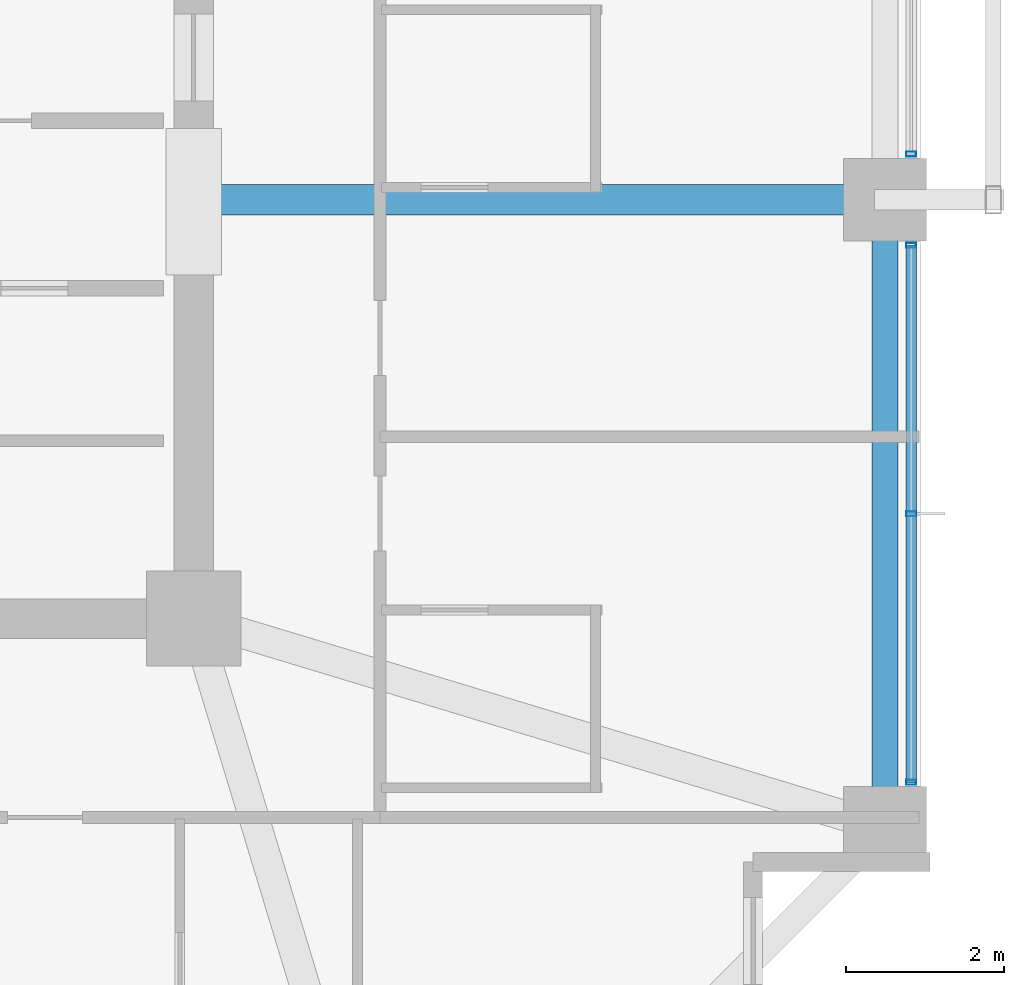
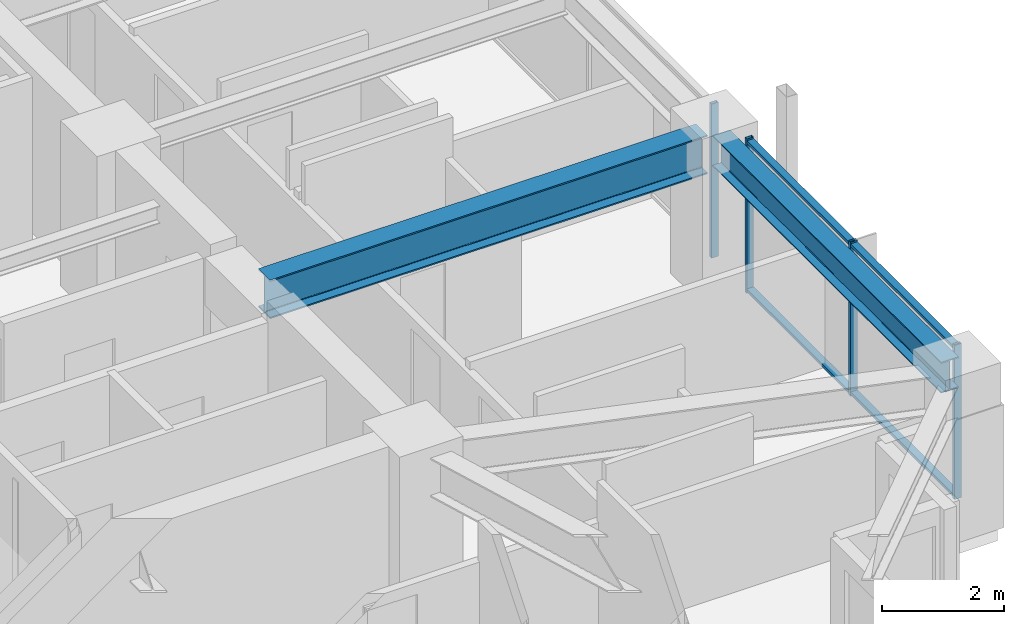
# One storey, part 13 of 34: 6 members, 2 beams, 2 elements without a shape of their own.
"""IFC4 building model written with IfcOpenShell, lengths in metres."""

from ifc_helpers import new_model, si_unit, direction, frame, origin, origin_2d, place, context, subcontext, project, spatial, hollow_rectangle, i_section, extrude, material, material_profile, profile_set, type_object, element, aggregate, save


model = new_model("IFC4")

# Units and contexts
model_context = context("Model", 3, precision=1e-05, world=origin(), true_north=direction((0.0, 1.0)))
body_context = subcontext(model_context, "Body", "Model", "MODEL_VIEW")
ifc_project = project(units=[si_unit("LENGTHUNIT", "METRE"), si_unit("AREAUNIT", "SQUARE_METRE"), si_unit("VOLUMEUNIT", "CUBIC_METRE"), si_unit("PLANEANGLEUNIT", "RADIAN"), si_unit("MASSUNIT", "GRAM", prefix="KILO")], contexts=[model_context])

# Site, building, storey
site_placement = place(None, origin())
site = spatial("IfcSite", under=ifc_project, at=site_placement, CompositionType="ELEMENT")
building_placement = place(site_placement, origin())
building = spatial("IfcBuilding", under=site, at=building_placement, Name="Kolvaren Belvedere", CompositionType="ELEMENT")
storey_placement = place(building_placement, frame((0.0, 0.0, 111.800048828125)))
storey = spatial("IfcBuildingStorey", under=building, at=storey_placement, Name="L32", CompositionType="ELEMENT", Elevation=111.800048828125)

# Beams
ifc_material_1 = material(Name="Structural steel ASTM A992 Grade 50", Category="steel")
ifc_material_profile_1 = material_profile(ifc_material_1, i_section(OverallWidth=0.381103515625, OverallDepth=0.77294921875, WebThickness=0.0166015625, FlangeThickness=0.027099609375, FilletRadius=0.02392578125, at=origin_2d()), Name="W30X173")
ifc_profile_set_1 = profile_set([ifc_material_profile_1], Name="Structural steel ASTM A992 Grade 50")
beam_type_1 = type_object("IfcBeamType", Name="BM-GIRD-W30X173", PredefinedType="BEAM", material=ifc_profile_set_1)
beam_1_placement = place(storey_placement, frame((10.14990234375, -4.60009765625, 2.693359375), z_axis=(1.0, 0.0, 0.0), x_axis=(0.0, 1.0, 0.0)))
element("IfcBeam", 1, at=beam_1_placement, inside=storey, type_object=beam_type_1, Name="L32 East Radial Girder M", PredefinedType="BEAM", context=body_context, shape_type="SweptSolid", body=[
    extrude(i_section(OverallWidth=0.381103515625, OverallDepth=0.77294921875, WebThickness=0.0166015625, FlangeThickness=0.027099609375, FilletRadius=0.02392578125, at=origin_2d()), origin(), (0.0, 0.0, 1.0), 8.263916015625),
])
ifc_material_2 = material(Name="Structural steel ASTM A992 Grade 50", Category="steel")
ifc_material_profile_2 = material_profile(ifc_material_2, i_section(OverallWidth=0.324951171875, OverallDepth=0.615966796875, WebThickness=0.013916015625, FlangeThickness=0.021484375, FilletRadius=0.02001953125, at=origin_2d()), Name="W24X117")
ifc_profile_set_2 = profile_set([ifc_material_profile_2], Name="Structural steel ASTM A992 Grade 50")
beam_type_2 = type_object("IfcBeamType", Name="BM-SPAN-W24X117", PredefinedType="SPANDREL", material=ifc_profile_set_2)
beam_2_placement = place(storey_placement, frame((18.64990234375, -12.313720703125, 2.77197265625), z_axis=(0.0, 1.0, 0.0), x_axis=(-1.0, 0.0, 0.0)))
element("IfcBeam", 2, at=beam_2_placement, inside=storey, type_object=beam_type_2, Name="L32 Perimeter Spandrel E1-E2", PredefinedType="SPANDREL", context=body_context, shape_type="SweptSolid", body=[
    extrude(i_section(OverallWidth=0.324951171875, OverallDepth=0.615966796875, WebThickness=0.013916015625, FlangeThickness=0.021484375, FilletRadius=0.02001953125, at=origin_2d()), origin(), (0.0, 0.0, 1.0), 7.4775390625),
])

# Curtain wall, member
ifc_material_3 = material(Name="Anodised pale-metal aluminium AA 6063-T6", Category="aluminium")
curtain_wall_type = type_object("IfcCurtainWallType", Name="CW-Z3-WAIST", PredefinedType="NOTDEFINED", material=ifc_material_3)
curtain_wall_1_placement = place(storey_placement, origin())
curtain_wall_1 = element("IfcCurtainWall", 3, at=curtain_wall_1_placement, inside=storey, type_object=curtain_wall_type, Name="L32 Unitised Curtain Wall FCW-L32-E-B2", PredefinedType="NOTDEFINED")
ifc_material_4 = material(Name="Anodised pale-metal aluminium AA 6063-T6", Category="aluminium")
ifc_material_profile_3 = material_profile(ifc_material_4, hollow_rectangle(XDim=0.06494140625, YDim=0.1298828125, WallThickness=0.00390625, at=origin_2d()), Name="ALU-MUL-130X65")
ifc_profile_set_3 = profile_set([ifc_material_profile_3], Name="Anodised pale-metal aluminium AA 6063-T6")
member_type_1 = type_object("IfcMemberType", Name="CW-MUL-130", PredefinedType="MULLION", material=ifc_profile_set_3)
member_1_placement = place(storey_placement, frame((18.97998046875, -4.0224609375, 0.0), z_axis=(0.0, 0.0, 1.0), x_axis=(0.0, 1.0, 0.0)))
member_1 = element("IfcMember", 4, at=member_1_placement, type_object=member_type_1, Name="FCW-L32-E-B2 Unitised Mullion 3", PredefinedType="MULLION", context=body_context, shape_type="SweptSolid", body=[
    extrude(hollow_rectangle(XDim=0.06494140625, YDim=0.1298828125, WallThickness=0.00390625, at=origin_2d()), origin(), (0.0, 0.0, 1.0), 3.079833984375),
])
aggregate(curtain_wall_1, [member_1])

# Curtain wall, members
curtain_wall_2_placement = place(storey_placement, origin())
curtain_wall_2 = element("IfcCurtainWall", 5, at=curtain_wall_2_placement, inside=storey, type_object=curtain_wall_type, Name="L32 Unitised Curtain Wall FCW-L32-E-B3", PredefinedType="NOTDEFINED")
member_2_placement = place(storey_placement, frame((18.97998046875, -5.177490234375, 0.0), z_axis=(0.0, 0.0, 1.0), x_axis=(0.0, 1.0, 0.0)))
member_2 = element("IfcMember", 6, at=member_2_placement, type_object=member_type_1, Name="FCW-L32-E-B3 Unitised Mullion 1", PredefinedType="MULLION", context=body_context, shape_type="SweptSolid", body=[
    extrude(hollow_rectangle(XDim=0.06494140625, YDim=0.1298828125, WallThickness=0.00390625, at=origin_2d()), origin(), (0.0, 0.0, 1.0), 3.079833984375),
])
member_3_placement = place(storey_placement, frame((18.97998046875, -8.574951171875, 0.0), z_axis=(0.0, 0.0, 1.0), x_axis=(0.0, 1.0, 0.0)))
member_3 = element("IfcMember", 7, at=member_3_placement, type_object=member_type_1, Name="FCW-L32-E-B3 Unitised Mullion 2", PredefinedType="MULLION", context=body_context, shape_type="SweptSolid", body=[
    extrude(hollow_rectangle(XDim=0.06494140625, YDim=0.1298828125, WallThickness=0.00390625, at=origin_2d()), origin(), (0.0, 0.0, 1.0), 3.079833984375),
])
member_4_placement = place(storey_placement, frame((18.97998046875, -11.972412109375, 0.0), z_axis=(0.0, 0.0, 1.0), x_axis=(0.0, 1.0, 0.0)))
member_4 = element("IfcMember", 8, at=member_4_placement, type_object=member_type_1, Name="FCW-L32-E-B3 Unitised Mullion 3", PredefinedType="MULLION", context=body_context, shape_type="SweptSolid", body=[
    extrude(hollow_rectangle(XDim=0.06494140625, YDim=0.1298828125, WallThickness=0.00390625, at=origin_2d()), origin(), (0.0, 0.0, 1.0), 3.079833984375),
])
ifc_material_5 = material(Name="Anodised pale-metal aluminium AA 6063-T6", Category="aluminium")
ifc_material_profile_4 = material_profile(ifc_material_5, hollow_rectangle(XDim=0.06005859375, YDim=0.1298828125, WallThickness=0.00390625, at=origin_2d()), Name="ALU-TRN-130X60")
ifc_profile_set_4 = profile_set([ifc_material_profile_4], Name="Anodised pale-metal aluminium AA 6063-T6")
member_type_2 = type_object("IfcMemberType", Name="CW-TRN-130", PredefinedType="USERDEFINED", material=ifc_profile_set_4)
member_5_placement = place(storey_placement, frame((18.97998046875, -5.177490234375, 0.06005859375), z_axis=(0.0, -1.0, 0.0), x_axis=(0.0, 0.0, 1.0)))
member_5 = element("IfcMember", 9, at=member_5_placement, type_object=member_type_2, Name="FCW-L32-E-B3 Sill Transom", ObjectType="TRANSOM", PredefinedType="USERDEFINED", context=body_context, shape_type="SweptSolid", body=[
    extrude(hollow_rectangle(XDim=0.06005859375, YDim=0.1298828125, WallThickness=0.00390625, at=origin_2d()), origin(), (0.0, 0.0, 1.0), 6.794921875),
])
member_6_placement = place(storey_placement, frame((18.97998046875, -5.177490234375, 3.02001953125), z_axis=(0.0, -1.0, 0.0), x_axis=(0.0, 0.0, 1.0)))
member_6 = element("IfcMember", 10, at=member_6_placement, type_object=member_type_2, Name="FCW-L32-E-B3 Head Transom", ObjectType="TRANSOM", PredefinedType="USERDEFINED", context=body_context, shape_type="SweptSolid", body=[
    extrude(hollow_rectangle(XDim=0.06005859375, YDim=0.1298828125, WallThickness=0.00390625, at=origin_2d()), origin(), (0.0, 0.0, 1.0), 6.794921875),
])
aggregate(curtain_wall_2, [member_2, member_3, member_4, member_5, member_6])

save(model, "model.ifc")
